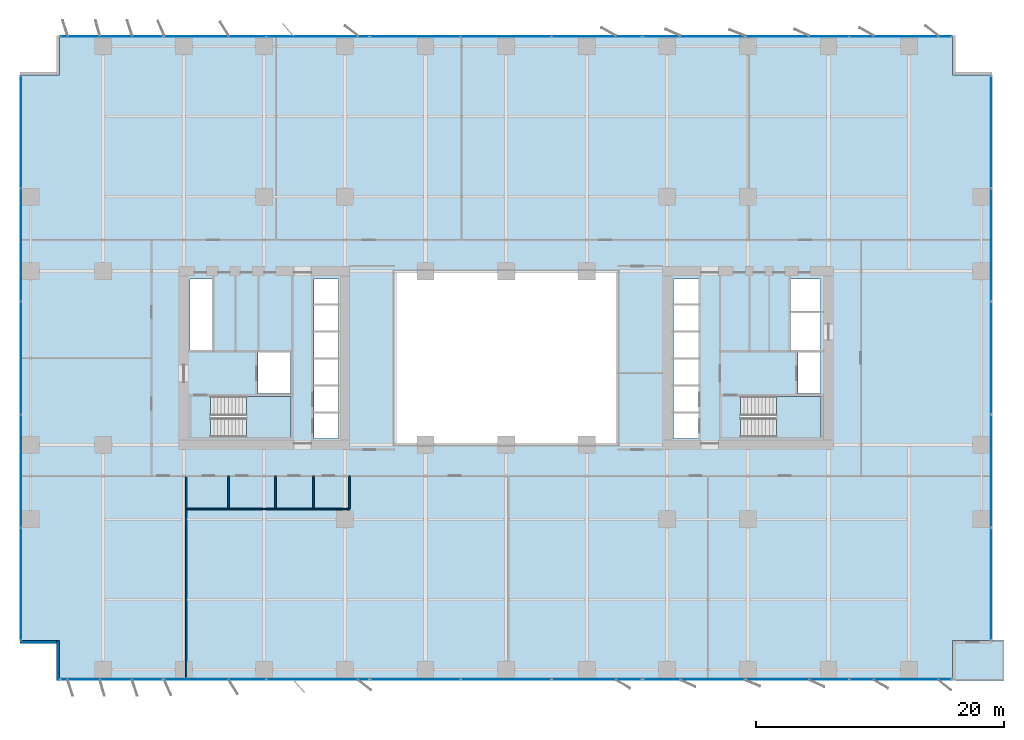
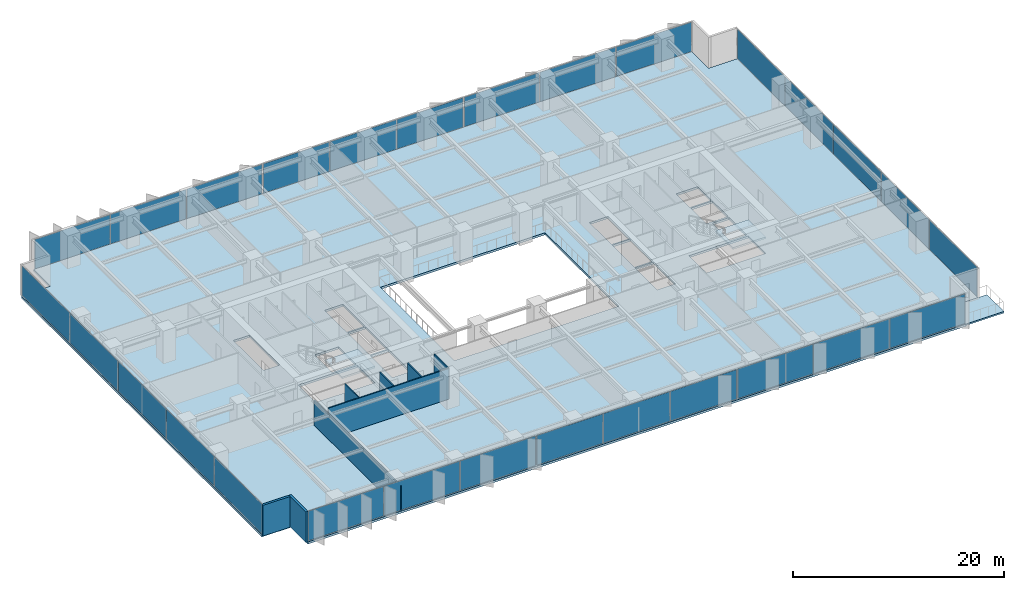
# One storey, part 12 of 20: 28 plates, 8 walls, 4 slabs, 10 elements without a shape of their own.
"""IFC4 building model written with IfcOpenShell, lengths in metres."""

from ifc_helpers import new_model, si_unit, direction, frame, frame_2d, origin, origin_2d, place, context, subcontext, project, spatial, polyline, rectangle, outline, extrude, material, layer, layer_set, type_object, element, aggregate, save


model = new_model("IFC4")

# Units and contexts
model_context = context("Model", 3, precision=1e-05, world=origin(), true_north=direction((0.0, 1.0)))
body_context = subcontext(model_context, "Body", "Model", "MODEL_VIEW")
ifc_project = project(units=[si_unit("LENGTHUNIT", "METRE"), si_unit("AREAUNIT", "SQUARE_METRE"), si_unit("VOLUMEUNIT", "CUBIC_METRE"), si_unit("PLANEANGLEUNIT", "RADIAN"), si_unit("MASSUNIT", "GRAM", prefix="KILO")], contexts=[model_context])

# Site, building, storey
site_placement = place(None, origin())
site = spatial("IfcSite", under=ifc_project, at=site_placement, CompositionType="ELEMENT")
building_placement = place(site_placement, origin())
building = spatial("IfcBuilding", under=site, at=building_placement, Name="Putna Gate Headquarters", CompositionType="ELEMENT")
storey_placement = place(building_placement, frame((0.0, 0.0, 43.0)))
storey = spatial("IfcBuildingStorey", under=building, at=storey_placement, Name="L09", CompositionType="ELEMENT", Elevation=43.0)

# Stair, slab
ifc_material_1 = material(Name="Concrete C40/50", Category="concrete")
stair_type_1 = type_object("IfcStairType", Name="STAIR-ST1", PredefinedType="HALF_TURN_STAIR", material=ifc_material_1)
stair_1_placement = place(storey_placement, origin())
stair_1 = element("IfcStair", 1, at=stair_1_placement, inside=storey, type_object=stair_type_1, Name="L09 West Core Exit Stair ST1", PredefinedType="HALF_TURN_STAIR")
ifc_layer_1 = layer(ifc_material_1, 0.199951171875)
ifc_layer_set_1 = layer_set([ifc_layer_1], Name="Concrete C40/50")
slab_type_1 = type_object("IfcSlabType", Name="LANDING-ST1", PredefinedType="LANDING", material=ifc_layer_set_1)
slab_1_placement = place(storey_placement, frame((0.0, 0.0, 1.699951171875)))
slab_1 = element("IfcSlab", 2, at=slab_1_placement, type_object=slab_type_1, Name="ST1 landing 1", PredefinedType="LANDING", context=body_context, shape_type="SweptSolid", body=[
    extrude(outline(polyline([(18.050048828125, 19.60009765625), (21.64990234375, 19.60009765625), (21.64990234375, 22.89990234375), (18.050048828125, 22.89990234375), (18.050048828125, 19.60009765625)])), origin(), (0.0, 0.0, 1.0), 0.199951171875),
])
aggregate(stair_1, [slab_1])

stair_type_2 = type_object("IfcStairType", Name="STAIR-ST2", PredefinedType="HALF_TURN_STAIR", material=ifc_material_1)
stair_2_placement = place(storey_placement, origin())
stair_2 = element("IfcStair", 3, at=stair_2_placement, inside=storey, type_object=stair_type_2, Name="L09 East Core Exit Stair ST2", PredefinedType="HALF_TURN_STAIR")
ifc_layer_2 = layer(ifc_material_1, 0.199951171875)
ifc_layer_set_2 = layer_set([ifc_layer_2], Name="Concrete C40/50")
slab_type_2 = type_object("IfcSlabType", Name="LANDING-ST2", PredefinedType="LANDING", material=ifc_layer_set_2)
slab_2_placement = place(storey_placement, frame((0.0, 0.0, 1.699951171875)))
slab_2 = element("IfcSlab", 4, at=slab_2_placement, type_object=slab_type_2, Name="ST2 landing 1", PredefinedType="LANDING", context=body_context, shape_type="SweptSolid", body=[
    extrude(outline(polyline([(60.800048828125, 19.60009765625), (64.39990234375, 19.60009765625), (64.39990234375, 22.89990234375), (60.800048828125, 22.89990234375), (60.800048828125, 19.60009765625)])), origin(), (0.0, 0.0, 1.0), 0.199951171875),
])
aggregate(stair_2, [slab_2])

# Curtain wall, plates
ifc_material_2 = material(Name="Anodised bronze aluminium curtain wall", Category="aluminium")
ifc_layer_3 = layer(ifc_material_2, 0.179931640625)
ifc_layer_set_3 = layer_set([ifc_layer_3], Name="Anodised bronze aluminium curtain wall")
curtain_wall_type_1 = type_object("IfcCurtainWallType", Name="CW-SYS-Z1", PredefinedType="USERDEFINED", material=ifc_layer_set_3)
curtain_wall_1_placement = place(storey_placement, origin())
curtain_wall_1 = element("IfcCurtainWall", 5, at=curtain_wall_1_placement, inside=storey, type_object=curtain_wall_type_1, Name="L09 South West Curtain Wall", ObjectType="STICK CURTAIN WALL", PredefinedType="USERDEFINED")
ifc_material_3 = material(Name="Solar-control triple low-E glass", Category="glass")
ifc_layer_4 = layer(ifc_material_3, 0.031982421875)
ifc_layer_set_4 = layer_set([ifc_layer_4], Name="Solar-control triple low-E glass")
plate_type_1 = type_object("IfcPlateType", Name="PAN-CWP-1", PredefinedType="CURTAIN_PANEL", material=ifc_layer_set_4)
plate_1_placement = place(storey_placement, frame((7.18408203125, 0.080078125, 0.06494140625), z_axis=(0.0, 0.0, 1.0), x_axis=(1.0, 0.0, 0.0)))
plate_1 = element("IfcPlate", 6, at=plate_1_placement, type_object=plate_type_1, Name="CWS-1 panel 1.1", PredefinedType="CURTAIN_PANEL", context=body_context, shape_type="SweptSolid", body=[
    extrude(rectangle(XDim=8.228271484375, YDim=0.031982421875, at=origin_2d()), origin(), (0.0, 0.0, 1.0), 3.419921875),
])
plate_2_placement = place(storey_placement, frame((15.5, 0.080078125, 0.06494140625), z_axis=(0.0, 0.0, 1.0), x_axis=(1.0, 0.0, 0.0)))
plate_2 = element("IfcPlate", 7, at=plate_2_placement, type_object=plate_type_1, Name="CWS-1 panel 2.1", PredefinedType="CURTAIN_PANEL", context=body_context, shape_type="SweptSolid", body=[
    extrude(rectangle(XDim=8.263427734375, YDim=0.031982421875, at=origin_2d()), origin(), (0.0, 0.0, 1.0), 3.419921875),
])
plate_3_placement = place(storey_placement, frame((23.81591796875, 0.080078125, 0.06494140625), z_axis=(0.0, 0.0, 1.0), x_axis=(1.0, 0.0, 0.0)))
plate_3 = element("IfcPlate", 8, at=plate_3_placement, type_object=plate_type_1, Name="CWS-1 panel 3.1", PredefinedType="CURTAIN_PANEL", context=body_context, shape_type="SweptSolid", body=[
    extrude(rectangle(XDim=8.228271484375, YDim=0.031982421875, at=origin_2d()), origin(), (0.0, 0.0, 1.0), 3.419921875),
])
aggregate(curtain_wall_1, [plate_1, plate_2, plate_3])

curtain_wall_2_placement = place(storey_placement, origin())
curtain_wall_2 = element("IfcCurtainWall", 9, at=curtain_wall_2_placement, inside=storey, type_object=curtain_wall_type_1, Name="L09 South East Curtain Wall", ObjectType="STICK CURTAIN WALL", PredefinedType="USERDEFINED")
plate_4_placement = place(storey_placement, frame((54.18408203125, 0.080078125, 0.06494140625), z_axis=(0.0, 0.0, 1.0), x_axis=(1.0, 0.0, 0.0)))
plate_4 = element("IfcPlate", 10, at=plate_4_placement, type_object=plate_type_1, Name="CWS-1 panel 1.1", PredefinedType="CURTAIN_PANEL", context=body_context, shape_type="SweptSolid", body=[
    extrude(rectangle(XDim=8.228271484375, YDim=0.031982421875, at=origin_2d()), origin(), (0.0, 0.0, 1.0), 3.419921875),
])
plate_5_placement = place(storey_placement, frame((62.5, 0.080078125, 0.06494140625), z_axis=(0.0, 0.0, 1.0), x_axis=(1.0, 0.0, 0.0)))
plate_5 = element("IfcPlate", 11, at=plate_5_placement, type_object=plate_type_1, Name="CWS-1 panel 2.1", PredefinedType="CURTAIN_PANEL", context=body_context, shape_type="SweptSolid", body=[
    extrude(rectangle(XDim=8.263427734375, YDim=0.031982421875, at=origin_2d()), origin(), (0.0, 0.0, 1.0), 3.419921875),
])
plate_6_placement = place(storey_placement, frame((70.81591796875, 0.080078125, 0.06494140625), z_axis=(0.0, 0.0, 1.0), x_axis=(1.0, 0.0, 0.0)))
plate_6 = element("IfcPlate", 12, at=plate_6_placement, type_object=plate_type_1, Name="CWS-1 panel 3.1", PredefinedType="CURTAIN_PANEL", context=body_context, shape_type="SweptSolid", body=[
    extrude(rectangle(XDim=8.228271484375, YDim=0.031982421875, at=origin_2d()), origin(), (0.0, 0.0, 1.0), 3.419921875),
])
aggregate(curtain_wall_2, [plate_4, plate_5, plate_6])

curtain_wall_3_placement = place(storey_placement, origin())
curtain_wall_3 = element("IfcCurtainWall", 13, at=curtain_wall_3_placement, inside=storey, type_object=curtain_wall_type_1, Name="L09 North West Curtain Wall", ObjectType="STICK CURTAIN WALL", PredefinedType="USERDEFINED")
plate_7_placement = place(storey_placement, frame((7.18408203125, 51.919921875, 0.06494140625), z_axis=(0.0, 0.0, 1.0), x_axis=(1.0, 0.0, 0.0)))
plate_7 = element("IfcPlate", 14, at=plate_7_placement, type_object=plate_type_1, Name="CWS-1 panel 1.1", PredefinedType="CURTAIN_PANEL", context=body_context, shape_type="SweptSolid", body=[
    extrude(rectangle(XDim=8.228271484375, YDim=0.031982421875, at=origin_2d()), origin(), (0.0, 0.0, 1.0), 3.419921875),
])
plate_8_placement = place(storey_placement, frame((15.5, 51.919921875, 0.06494140625), z_axis=(0.0, 0.0, 1.0), x_axis=(1.0, 0.0, 0.0)))
plate_8 = element("IfcPlate", 15, at=plate_8_placement, type_object=plate_type_1, Name="CWS-1 panel 2.1", PredefinedType="CURTAIN_PANEL", context=body_context, shape_type="SweptSolid", body=[
    extrude(rectangle(XDim=8.263427734375, YDim=0.031982421875, at=origin_2d()), origin(), (0.0, 0.0, 1.0), 3.419921875),
])
plate_9_placement = place(storey_placement, frame((23.81591796875, 51.919921875, 0.06494140625), z_axis=(0.0, 0.0, 1.0), x_axis=(1.0, 0.0, 0.0)))
plate_9 = element("IfcPlate", 16, at=plate_9_placement, type_object=plate_type_1, Name="CWS-1 panel 3.1", PredefinedType="CURTAIN_PANEL", context=body_context, shape_type="SweptSolid", body=[
    extrude(rectangle(XDim=8.228271484375, YDim=0.031982421875, at=origin_2d()), origin(), (0.0, 0.0, 1.0), 3.419921875),
])
aggregate(curtain_wall_3, [plate_7, plate_8, plate_9])

curtain_wall_4_placement = place(storey_placement, origin())
curtain_wall_4 = element("IfcCurtainWall", 17, at=curtain_wall_4_placement, inside=storey, type_object=curtain_wall_type_1, Name="L09 North East Curtain Wall", ObjectType="STICK CURTAIN WALL", PredefinedType="USERDEFINED")
plate_10_placement = place(storey_placement, frame((54.18408203125, 51.919921875, 0.06494140625), z_axis=(0.0, 0.0, 1.0), x_axis=(1.0, 0.0, 0.0)))
plate_10 = element("IfcPlate", 18, at=plate_10_placement, type_object=plate_type_1, Name="CWS-1 panel 1.1", PredefinedType="CURTAIN_PANEL", context=body_context, shape_type="SweptSolid", body=[
    extrude(rectangle(XDim=8.228271484375, YDim=0.031982421875, at=origin_2d()), origin(), (0.0, 0.0, 1.0), 3.419921875),
])
plate_11_placement = place(storey_placement, frame((62.5, 51.919921875, 0.06494140625), z_axis=(0.0, 0.0, 1.0), x_axis=(1.0, 0.0, 0.0)))
plate_11 = element("IfcPlate", 19, at=plate_11_placement, type_object=plate_type_1, Name="CWS-1 panel 2.1", PredefinedType="CURTAIN_PANEL", context=body_context, shape_type="SweptSolid", body=[
    extrude(rectangle(XDim=8.263427734375, YDim=0.031982421875, at=origin_2d()), origin(), (0.0, 0.0, 1.0), 3.419921875),
])
plate_12_placement = place(storey_placement, frame((70.81591796875, 51.919921875, 0.06494140625), z_axis=(0.0, 0.0, 1.0), x_axis=(1.0, 0.0, 0.0)))
plate_12 = element("IfcPlate", 20, at=plate_12_placement, type_object=plate_type_1, Name="CWS-1 panel 3.1", PredefinedType="CURTAIN_PANEL", context=body_context, shape_type="SweptSolid", body=[
    extrude(rectangle(XDim=8.228271484375, YDim=0.031982421875, at=origin_2d()), origin(), (0.0, 0.0, 1.0), 3.419921875),
])
aggregate(curtain_wall_4, [plate_10, plate_11, plate_12])

curtain_wall_5_placement = place(storey_placement, origin())
curtain_wall_5 = element("IfcCurtainWall", 21, at=curtain_wall_5_placement, inside=storey, type_object=curtain_wall_type_1, Name="L09 West Curtain Wall", ObjectType="STICK CURTAIN WALL", PredefinedType="USERDEFINED")
plate_13_placement = place(storey_placement, frame((-0.1201171875, 7.777587890625, 0.06494140625), z_axis=(0.0, 0.0, 1.0), x_axis=(0.0, 1.0, 0.0)))
plate_13 = element("IfcPlate", 22, at=plate_13_placement, type_object=plate_type_1, Name="CWS-1 panel 1.1", PredefinedType="CURTAIN_PANEL", context=body_context, shape_type="SweptSolid", body=[
    extrude(rectangle(XDim=9.014892578125, YDim=0.031982421875, at=origin_2d()), origin(), (0.0, 0.0, 1.0), 3.419921875),
])
plate_14_placement = place(storey_placement, frame((-0.1201171875, 16.8798828125, 0.06494140625), z_axis=(0.0, 0.0, 1.0), x_axis=(0.0, 1.0, 0.0)))
plate_14 = element("IfcPlate", 23, at=plate_14_placement, type_object=plate_type_1, Name="CWS-1 panel 2.1", PredefinedType="CURTAIN_PANEL", context=body_context, shape_type="SweptSolid", body=[
    extrude(rectangle(XDim=9.050048828125, YDim=0.031982421875, at=origin_2d()), origin(), (0.0, 0.0, 1.0), 3.419921875),
])
plate_15_placement = place(storey_placement, frame((-0.1201171875, 26.0, 0.06494140625), z_axis=(0.0, 0.0, 1.0), x_axis=(0.0, 1.0, 0.0)))
plate_15 = element("IfcPlate", 24, at=plate_15_placement, type_object=plate_type_1, Name="CWS-1 panel 3.1", PredefinedType="CURTAIN_PANEL", context=body_context, shape_type="SweptSolid", body=[
    extrude(rectangle(XDim=9.050048828125, YDim=0.031982421875, at=origin_2d()), origin(), (0.0, 0.0, 1.0), 3.419921875),
])
plate_16_placement = place(storey_placement, frame((-0.1201171875, 35.1201171875, 0.06494140625), z_axis=(0.0, 0.0, 1.0), x_axis=(0.0, 1.0, 0.0)))
plate_16 = element("IfcPlate", 25, at=plate_16_placement, type_object=plate_type_1, Name="CWS-1 panel 4.1", PredefinedType="CURTAIN_PANEL", context=body_context, shape_type="SweptSolid", body=[
    extrude(rectangle(XDim=9.050048828125, YDim=0.031982421875, at=origin_2d()), origin(), (0.0, 0.0, 1.0), 3.419921875),
])
plate_17_placement = place(storey_placement, frame((-0.1201171875, 44.222412109375, 0.06494140625), z_axis=(0.0, 0.0, 1.0), x_axis=(0.0, 1.0, 0.0)))
plate_17 = element("IfcPlate", 26, at=plate_17_placement, type_object=plate_type_1, Name="CWS-1 panel 5.1", PredefinedType="CURTAIN_PANEL", context=body_context, shape_type="SweptSolid", body=[
    extrude(rectangle(XDim=9.014892578125, YDim=0.031982421875, at=origin_2d()), origin(), (0.0, 0.0, 1.0), 3.419921875),
])
aggregate(curtain_wall_5, [plate_13, plate_14, plate_15, plate_16, plate_17])

curtain_wall_6_placement = place(storey_placement, origin())
curtain_wall_6 = element("IfcCurtainWall", 27, at=curtain_wall_6_placement, inside=storey, type_object=curtain_wall_type_1, Name="L09 East Curtain Wall", ObjectType="STICK CURTAIN WALL", PredefinedType="USERDEFINED")
plate_18_placement = place(storey_placement, frame((78.1201171875, 7.777587890625, 0.06494140625), z_axis=(0.0, 0.0, 1.0), x_axis=(0.0, 1.0, 0.0)))
plate_18 = element("IfcPlate", 28, at=plate_18_placement, type_object=plate_type_1, Name="CWS-1 panel 1.1", PredefinedType="CURTAIN_PANEL", context=body_context, shape_type="SweptSolid", body=[
    extrude(rectangle(XDim=9.014892578125, YDim=0.031982421875, at=origin_2d()), origin(), (0.0, 0.0, 1.0), 3.419921875),
])
plate_19_placement = place(storey_placement, frame((78.1201171875, 16.8798828125, 0.06494140625), z_axis=(0.0, 0.0, 1.0), x_axis=(0.0, 1.0, 0.0)))
plate_19 = element("IfcPlate", 29, at=plate_19_placement, type_object=plate_type_1, Name="CWS-1 panel 2.1", PredefinedType="CURTAIN_PANEL", context=body_context, shape_type="SweptSolid", body=[
    extrude(rectangle(XDim=9.050048828125, YDim=0.031982421875, at=origin_2d()), origin(), (0.0, 0.0, 1.0), 3.419921875),
])
plate_20_placement = place(storey_placement, frame((78.1201171875, 26.0, 0.06494140625), z_axis=(0.0, 0.0, 1.0), x_axis=(0.0, 1.0, 0.0)))
plate_20 = element("IfcPlate", 30, at=plate_20_placement, type_object=plate_type_1, Name="CWS-1 panel 3.1", PredefinedType="CURTAIN_PANEL", context=body_context, shape_type="SweptSolid", body=[
    extrude(rectangle(XDim=9.050048828125, YDim=0.031982421875, at=origin_2d()), origin(), (0.0, 0.0, 1.0), 3.419921875),
])
plate_21_placement = place(storey_placement, frame((78.1201171875, 35.1201171875, 0.06494140625), z_axis=(0.0, 0.0, 1.0), x_axis=(0.0, 1.0, 0.0)))
plate_21 = element("IfcPlate", 31, at=plate_21_placement, type_object=plate_type_1, Name="CWS-1 panel 4.1", PredefinedType="CURTAIN_PANEL", context=body_context, shape_type="SweptSolid", body=[
    extrude(rectangle(XDim=9.050048828125, YDim=0.031982421875, at=origin_2d()), origin(), (0.0, 0.0, 1.0), 3.419921875),
])
plate_22_placement = place(storey_placement, frame((78.1201171875, 44.222412109375, 0.06494140625), z_axis=(0.0, 0.0, 1.0), x_axis=(0.0, 1.0, 0.0)))
plate_22 = element("IfcPlate", 32, at=plate_22_placement, type_object=plate_type_1, Name="CWS-1 panel 5.1", PredefinedType="CURTAIN_PANEL", context=body_context, shape_type="SweptSolid", body=[
    extrude(rectangle(XDim=9.014892578125, YDim=0.031982421875, at=origin_2d()), origin(), (0.0, 0.0, 1.0), 3.419921875),
])
aggregate(curtain_wall_6, [plate_18, plate_19, plate_20, plate_21, plate_22])

ifc_layer_5 = layer(ifc_material_2, 0.179931640625)
ifc_layer_set_5 = layer_set([ifc_layer_5], Name="Anodised bronze aluminium curtain wall")
curtain_wall_type_2 = type_object("IfcCurtainWallType", Name="CW-SYS-ATR", PredefinedType="USERDEFINED", material=ifc_layer_set_5)
curtain_wall_7_placement = place(storey_placement, origin())
curtain_wall_7 = element("IfcCurtainWall", 33, at=curtain_wall_7_placement, inside=storey, type_object=curtain_wall_type_2, Name="L09 South Atrium Clear Glazing", ObjectType="ATRIUM GLAZING", PredefinedType="USERDEFINED")
ifc_material_4 = material(Name="Clear low-iron triple glazing", Category="glass")
ifc_layer_6 = layer(ifc_material_4, 0.0400390625)
ifc_layer_set_6 = layer_set([ifc_layer_6], Name="Clear low-iron triple glazing")
plate_type_2 = type_object("IfcPlateType", Name="PAN-CWP-AT", PredefinedType="CURTAIN_PANEL", material=ifc_layer_set_6)
plate_23_placement = place(storey_placement, frame((31.68408203125, 0.080078125, 0.06982421875), z_axis=(0.0, 0.0, 1.0), x_axis=(1.0, 0.0, 0.0)))
plate_23 = element("IfcPlate", 34, at=plate_23_placement, type_object=plate_type_2, Name="CWS-AT panel 1.1", PredefinedType="CURTAIN_PANEL", context=body_context, shape_type="SweptSolid", body=[
    extrude(rectangle(XDim=7.228271484375, YDim=0.0400390625, at=origin_2d()), origin(), (0.0, 0.0, 1.0), 3.409912109375),
])
plate_24_placement = place(storey_placement, frame((39.0, 0.080078125, 0.06982421875), z_axis=(0.0, 0.0, 1.0), x_axis=(1.0, 0.0, 0.0)))
plate_24 = element("IfcPlate", 35, at=plate_24_placement, type_object=plate_type_2, Name="CWS-AT panel 2.1", PredefinedType="CURTAIN_PANEL", context=body_context, shape_type="SweptSolid", body=[
    extrude(rectangle(XDim=7.263427734375, YDim=0.0400390625, at=origin_2d()), origin(), (0.0, 0.0, 1.0), 3.409912109375),
])
plate_25_placement = place(storey_placement, frame((46.31591796875, 0.080078125, 0.06982421875), z_axis=(0.0, 0.0, 1.0), x_axis=(1.0, 0.0, 0.0)))
plate_25 = element("IfcPlate", 36, at=plate_25_placement, type_object=plate_type_2, Name="CWS-AT panel 3.1", PredefinedType="CURTAIN_PANEL", context=body_context, shape_type="SweptSolid", body=[
    extrude(rectangle(XDim=7.228271484375, YDim=0.0400390625, at=origin_2d()), origin(), (0.0, 0.0, 1.0), 3.409912109375),
])
aggregate(curtain_wall_7, [plate_23, plate_24, plate_25])

curtain_wall_8_placement = place(storey_placement, origin())
curtain_wall_8 = element("IfcCurtainWall", 37, at=curtain_wall_8_placement, inside=storey, type_object=curtain_wall_type_2, Name="L09 North Atrium Clear Glazing", ObjectType="ATRIUM GLAZING", PredefinedType="USERDEFINED")
plate_26_placement = place(storey_placement, frame((31.68408203125, 51.919921875, 0.06982421875), z_axis=(0.0, 0.0, 1.0), x_axis=(1.0, 0.0, 0.0)))
plate_26 = element("IfcPlate", 38, at=plate_26_placement, type_object=plate_type_2, Name="CWS-AT panel 1.1", PredefinedType="CURTAIN_PANEL", context=body_context, shape_type="SweptSolid", body=[
    extrude(rectangle(XDim=7.228271484375, YDim=0.0400390625, at=origin_2d()), origin(), (0.0, 0.0, 1.0), 3.409912109375),
])
plate_27_placement = place(storey_placement, frame((39.0, 51.919921875, 0.06982421875), z_axis=(0.0, 0.0, 1.0), x_axis=(1.0, 0.0, 0.0)))
plate_27 = element("IfcPlate", 39, at=plate_27_placement, type_object=plate_type_2, Name="CWS-AT panel 2.1", PredefinedType="CURTAIN_PANEL", context=body_context, shape_type="SweptSolid", body=[
    extrude(rectangle(XDim=7.263427734375, YDim=0.0400390625, at=origin_2d()), origin(), (0.0, 0.0, 1.0), 3.409912109375),
])
plate_28_placement = place(storey_placement, frame((46.31591796875, 51.919921875, 0.06982421875), z_axis=(0.0, 0.0, 1.0), x_axis=(1.0, 0.0, 0.0)))
plate_28 = element("IfcPlate", 40, at=plate_28_placement, type_object=plate_type_2, Name="CWS-AT panel 3.1", PredefinedType="CURTAIN_PANEL", context=body_context, shape_type="SweptSolid", body=[
    extrude(rectangle(XDim=7.228271484375, YDim=0.0400390625, at=origin_2d()), origin(), (0.0, 0.0, 1.0), 3.409912109375),
])
aggregate(curtain_wall_8, [plate_26, plate_27, plate_28])

# Slabs
ifc_layer_7 = layer(ifc_material_1, 0.179931640625)
ifc_layer_set_7 = layer_set([ifc_layer_7], Name="Concrete C40/50")
slab_type_3 = type_object("IfcSlabType", Name="SLAB-TERRACE-180", PredefinedType="FLOOR", material=ifc_layer_set_7)
slab_3_placement = place(storey_placement, frame((0.0, 0.0, -0.179931640625)))
element("IfcSlab", 41, at=slab_3_placement, inside=storey, type_object=slab_type_3, Name="L09 Spiral Sky-Garden Terrace Slab (SE)", PredefinedType="FLOOR", context=body_context, shape_type="SweptSolid", body=[
    extrude(outline(polyline([(74.991943359375, 0.0), (79.14990234375, 0.0), (79.14990234375, 3.2080078125), (74.991943359375, 3.2080078125), (74.991943359375, 0.0)])), origin(), (0.0, 0.0, 1.0), 0.179931640625),
])
ifc_layer_8 = layer(ifc_material_1, 0.25)
ifc_layer_set_8 = layer_set([ifc_layer_8], Name="Concrete C40/50")
slab_type_4 = type_object("IfcSlabType", Name="SLAB-Z1-250", PredefinedType="FLOOR", material=ifc_layer_set_8)
slab_4_placement = place(storey_placement, frame((0.0, 0.0, -0.25)))
element("IfcSlab", 42, at=slab_4_placement, inside=storey, type_object=slab_type_4, Name="L09 Composite Floor Slab", PredefinedType="FLOOR", context=body_context, shape_type="SweptSolid", body=[
    extrude(outline(polyline([(3.0, 0.0), (75.0, 0.0), (75.0, 3.199951171875), (78.199951171875, 3.199951171875), (78.199951171875, 48.800048828125), (75.0, 48.800048828125), (75.0, 52.0), (3.0, 52.0), (3.0, 48.800048828125), (-0.199951171875, 48.800048828125), (-0.199951171875, 3.199951171875), (3.0, 3.199951171875), (3.0, 0.0)]), holes=[polyline([(15.1650390625, 19.60009765625), (21.64990234375, 19.60009765625), (21.64990234375, 22.89990234375), (15.1650390625, 22.89990234375), (15.1650390625, 19.60009765625)]), polyline([(57.9150390625, 19.60009765625), (64.39990234375, 19.60009765625), (64.39990234375, 22.89990234375), (57.9150390625, 22.89990234375), (57.9150390625, 19.60009765625)]), polyline([(13.52001953125, 26.659912109375), (15.280029296875, 26.659912109375), (15.280029296875, 32.35009765625), (13.52001953125, 32.35009765625), (13.52001953125, 26.659912109375)]), polyline([(61.969970703125, 29.780029296875), (64.35009765625, 29.780029296875), (64.35009765625, 32.35009765625), (61.969970703125, 32.35009765625), (61.969970703125, 29.780029296875)]), polyline([(18.97998046875, 23.1201171875), (21.6201171875, 23.1201171875), (21.6201171875, 26.4599609375), (18.97998046875, 26.4599609375), (18.97998046875, 23.1201171875)]), polyline([(62.52001953125, 23.1201171875), (64.35009765625, 23.1201171875), (64.35009765625, 26.4599609375), (62.52001953125, 26.4599609375), (62.52001953125, 23.1201171875)]), polyline([(61.969970703125, 26.659912109375), (64.35009765625, 26.659912109375), (64.35009765625, 29.6201171875), (61.969970703125, 29.6201171875), (61.969970703125, 26.659912109375)]), polyline([(23.5, 19.52001953125), (25.5, 19.52001953125), (25.5, 23.699951171875), (23.5, 23.699951171875), (23.5, 19.52001953125)]), polyline([(52.47998046875, 19.52001953125), (54.5, 19.52001953125), (54.5, 23.699951171875), (52.47998046875, 23.699951171875), (52.47998046875, 19.52001953125)]), polyline([(23.5, 23.860107421875), (25.5, 23.860107421875), (25.5, 28.0400390625), (23.5, 28.0400390625), (23.5, 23.860107421875)]), polyline([(52.47998046875, 23.860107421875), (54.5, 23.860107421875), (54.5, 28.0400390625), (52.47998046875, 28.0400390625), (52.47998046875, 23.860107421875)]), polyline([(23.5, 28.199951171875), (25.5, 28.199951171875), (25.5, 32.35009765625), (23.5, 32.35009765625), (23.5, 28.199951171875)]), polyline([(52.47998046875, 28.199951171875), (54.5, 28.199951171875), (54.5, 32.35009765625), (52.47998046875, 32.35009765625), (52.47998046875, 28.199951171875)]), polyline([(30.0, 19.0), (48.0, 19.0), (48.0, 33.0), (30.0, 33.0), (30.0, 19.0)])]), origin(), (0.0, 0.0, 1.0), 0.25),
])

# Walls
ifc_material_5 = material(Name="Precast concrete C40/50", Category="concrete")
ifc_layer_9 = layer(ifc_material_5, 0.239990234375)
ifc_layer_set_9 = layer_set([ifc_layer_9], Name="Precast concrete C40/50")
wall_type_1 = type_object("IfcWallType", Name="WALL-EXT-TERR-240", PredefinedType="STANDARD", material=ifc_layer_set_9)
for number, where, z_axis, x_axis, name in (
    (43, (2.8798828125, 0.0, 0.0), (0.0, 0.0, 1.0), (0.0, 1.0, 0.0), "L09 Corner Notch Return Wall SW-V"),
    (44, (3.0, 3.080078125, 0.0), (0.0, 0.0, 1.0), (-1.0, 0.0, 0.0), "L09 Corner Notch Return Wall SW-H"),
):
    element("IfcWall", number, at=place(storey_placement, frame(where, z_axis=z_axis, x_axis=x_axis)), inside=storey, type_object=wall_type_1, Name=name, PredefinedType="STANDARD", context=body_context, shape_type="SweptSolid", body=[
        extrude(rectangle(XDim=3.199951171875, YDim=0.239990234375, at=frame_2d((1.60009765625, 0.0))), origin(), (0.0, 0.0, 1.0), 3.550048828125),
    ])
ifc_material_6 = material(Name="Acoustic gypsum board on metal stud")
ifc_layer_10 = layer(ifc_material_6, 0.1201171875)
ifc_layer_set_10 = layer_set([ifc_layer_10], Name="Acoustic gypsum board on metal stud")
wall_type_2 = type_object("IfcWallType", Name="WALL-PART-120", PredefinedType="PARTITIONING", material=ifc_layer_set_10)
wall_1_placement = place(storey_placement, frame((13.199951171875, 0.02001953125, 0.0), z_axis=(0.0, 0.0, 1.0), x_axis=(0.0, 1.0, 0.0)))
element("IfcWall", 45, at=wall_1_placement, inside=storey, type_object=wall_type_2, Name="L09 Interior Wall PART-L09-SB-DIV-01", PredefinedType="PARTITIONING", context=body_context, shape_type="SweptSolid", body=[
    extrude(rectangle(XDim=16.419921875, YDim=0.1201171875, at=frame_2d((8.2099609375, 0.0))), origin(), (0.0, 0.0, 1.0), 2.89990234375),
])
ifc_material_7 = material(Name="Fire-rated gypsum board on metal stud")
ifc_layer_11 = layer(ifc_material_7, 0.1201171875)
ifc_layer_set_11 = layer_set([ifc_layer_11], Name="Fire-rated gypsum board on metal stud")
wall_type_3 = type_object("IfcWallType", Name="WALL-PART-120-RATED", PredefinedType="PARTITIONING", material=ifc_layer_set_11)
wall_2_placement = place(storey_placement, frame((13.199951171875, 13.820068359375, 0.0), z_axis=(0.0, 0.0, 1.0), x_axis=(1.0, 0.0, 0.0)))
element("IfcWall", 46, at=wall_2_placement, inside=storey, type_object=wall_type_3, Name="L09 Interior Wall PART-L09-SAN-BACK", PredefinedType="PARTITIONING", context=body_context, shape_type="SweptSolid", body=[
    extrude(rectangle(XDim=13.16015625, YDim=0.1201171875, at=frame_2d((6.580078125, 0.0))), origin(), (0.0, 0.0, 1.0), 3.550048828125),
])
for number, where, z_axis, x_axis, name in (
    (47, (16.60009765625, 13.820068359375, 0.0), (0.0, 0.0, 1.0), (0.0, 1.0, 0.0), "L09 Interior Wall PART-L09-SAN-DIV-1"),
    (48, (20.419921875, 13.820068359375, 0.0), (0.0, 0.0, 1.0), (0.0, 1.0, 0.0), "L09 Interior Wall PART-L09-SAN-DIV-2"),
    (49, (23.4599609375, 13.820068359375, 0.0), (0.0, 0.0, 1.0), (0.0, 1.0, 0.0), "L09 Interior Wall PART-L09-SAN-DIV-3"),
    (50, (26.360107421875, 13.820068359375, 0.0), (0.0, 0.0, 1.0), (0.0, 1.0, 0.0), "L09 Interior Wall PART-L09-SAN-DIV-4"),
):
    element("IfcWall", number, at=place(storey_placement, frame(where, z_axis=z_axis, x_axis=x_axis)), inside=storey, type_object=wall_type_3, Name=name, PredefinedType="PARTITIONING", context=body_context, shape_type="SweptSolid", body=[
        extrude(rectangle(XDim=2.679931640625, YDim=0.1201171875, at=frame_2d((1.33984375, 0.0))), origin(), (0.0, 0.0, 1.0), 3.550048828125),
    ])

save(model, "model.ifc")
